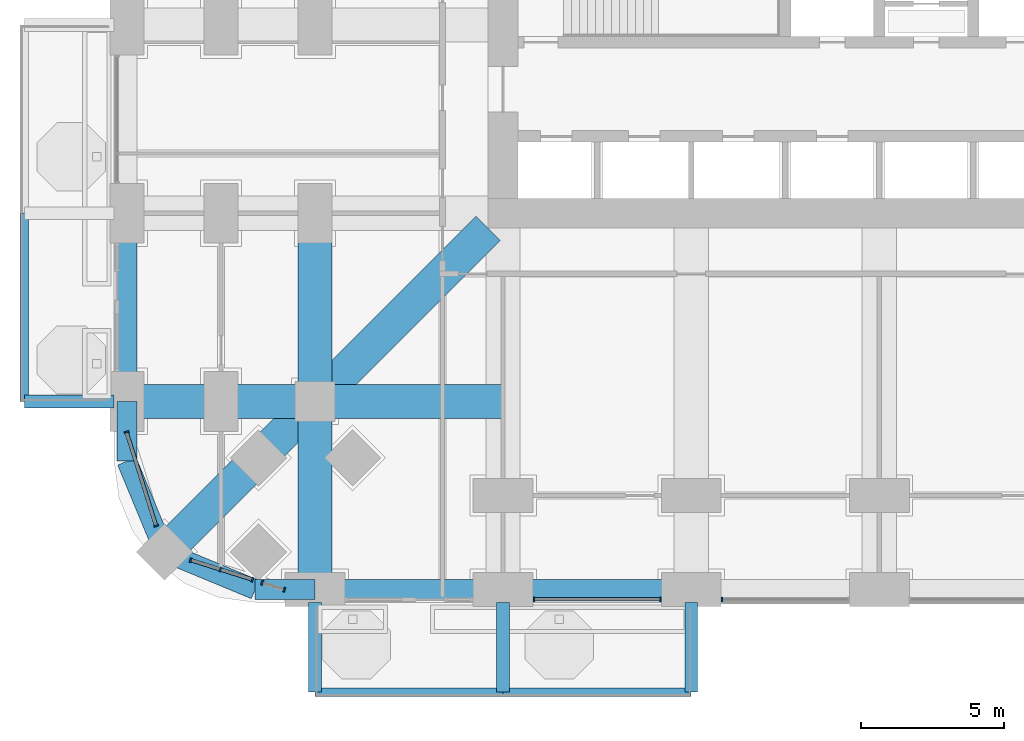
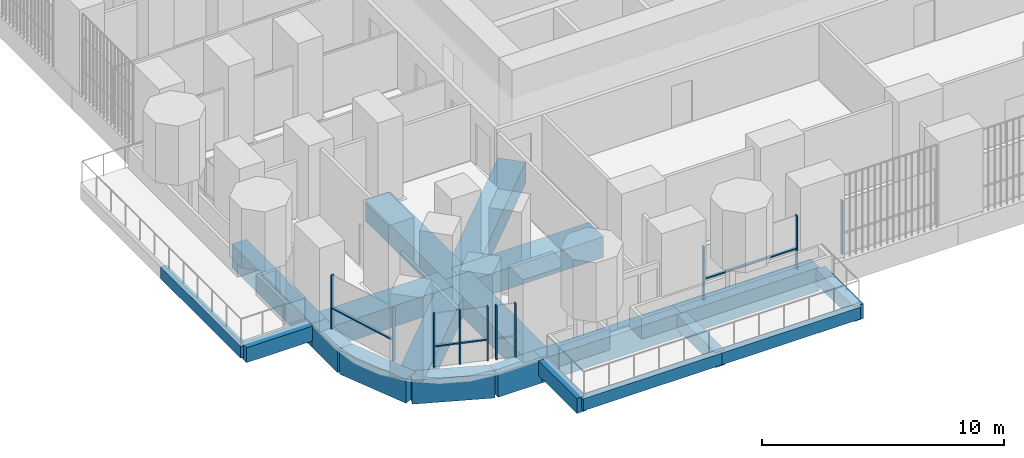
# One storey, part 2 of 27: 20 beams, 14 members, 5 elements without a shape of their own.
"""IFC4 building model written with IfcOpenShell, lengths in metres."""

import ifcopenshell
import ifcopenshell.guid

model = None  # the IFC model being written
_history = None  # IfcOwnerHistory: only IFC2X3 demands one
_inside = {}  # id of a spatial element -> (the spatial element, [elements in it])
_under = {}  # id of a project, library or spatial element -> (it, [spatial elements below it])
_declared = {}  # id of a project -> (the project, [libraries it declares])
_typed = {}  # id of a type object -> (the type object, [elements of that type])
_made_of = {}  # id of a material, layer set ... -> (it, [elements and type objects made of it])


def new_model(schema):
    """Start an empty IFC model of exactly this schema.

    Asked for "IFC4X3", IfcOpenShell would pick the latest addendum, in which some entities
    have other attributes; the version numbers below select the first issue.
    IFC2X3 requires an IfcOwnerHistory on every rooted entity: one is made here for all.
    """
    global model, _history
    if schema == "IFC4X3":
        model = ifcopenshell.file(schema_version=(4, 3, 0, 0))
    else:
        model = ifcopenshell.file(schema=schema)
    _inside.clear()
    _under.clear()
    _declared.clear()
    _typed.clear()
    _made_of.clear()
    _history = None
    if model.schema == "IFC2X3":
        org = make("IfcOrganization", Name="unknown")
        user = make(
            "IfcPersonAndOrganization",
            ThePerson=make("IfcPerson", FamilyName="unknown"),
            TheOrganization=org,
        )
        app = make(
            "IfcApplication",
            ApplicationDeveloper=org,
            Version="unknown",
            ApplicationFullName="unknown",
            ApplicationIdentifier="unknown",
        )
        _history = make(
            "IfcOwnerHistory",
            OwningUser=user,
            OwningApplication=app,
            ChangeAction="ADDED",
            CreationDate=0,
        )
    return model


def make(cls, **values):
    """One entity of the class cls with the attributes given. An attribute that is None is left unset."""
    return model.create_entity(
        cls, **{name: value for name, value in values.items() if value is not None}
    )


def rooted(cls, **values):
    """An entity with a GlobalId (a new one), such as an element, a storey or a relation."""
    return make(cls, GlobalId=ifcopenshell.guid.new(), OwnerHistory=_history, **values)


def si_unit(unit_type, name, prefix=None):
    """IfcSIUnit, for example si_unit("LENGTHUNIT", "METRE", prefix="MILLI")."""
    return make("IfcSIUnit", UnitType=unit_type, Prefix=prefix, Name=name)


def assignment(units):
    """IfcUnitAssignment: the units of a project."""
    return None if units is None else make("IfcUnitAssignment", Units=units)


def point(xyz):
    """IfcCartesianPoint."""
    return None if xyz is None else make("IfcCartesianPoint", Coordinates=xyz)


def direction(xyz):
    """IfcDirection."""
    return None if xyz is None else make("IfcDirection", DirectionRatios=xyz)


def frame(location, z_axis=None, x_axis=None):
    """IfcAxis2Placement3D, a coordinate frame: its origin and axes. An axis left out is left unset."""
    return make(
        "IfcAxis2Placement3D",
        Location=point(location),
        Axis=direction(z_axis),
        RefDirection=direction(x_axis),
    )


def frame_2d(location, x_axis=None):
    """IfcAxis2Placement2D, a coordinate frame in the plane: its origin and x axis."""
    return make(
        "IfcAxis2Placement2D", Location=point(location), RefDirection=direction(x_axis)
    )


def origin():
    """The frame at (0, 0, 0) with its axes left unset."""
    return frame((0.0, 0.0, 0.0))


def origin_2d():
    """The frame at (0, 0) in the plane with its x axis left unset."""
    return frame_2d((0.0, 0.0))


def place(relative_to, where):
    """IfcLocalPlacement: puts the frame where relative to a parent placement (None: the world)."""
    return make(
        "IfcLocalPlacement", PlacementRelTo=relative_to, RelativePlacement=where
    )


def context(
    kind, dimensions, precision=None, world=None, true_north=None, identifier=None
):
    """IfcGeometricRepresentationContext, for example the 3D "Model" context."""
    return make(
        "IfcGeometricRepresentationContext",
        ContextIdentifier=identifier,
        ContextType=kind,
        CoordinateSpaceDimension=dimensions,
        Precision=precision,
        WorldCoordinateSystem=world,
        TrueNorth=true_north,
    )


def subcontext(parent, identifier, kind, view, scale=None):
    """IfcGeometricRepresentationSubContext, for example "Body" below "Model"."""
    return make(
        "IfcGeometricRepresentationSubContext",
        ContextIdentifier=identifier,
        ContextType=kind,
        ParentContext=parent,
        TargetScale=scale,
        TargetView=view,
    )


def project(units=None, contexts=None):
    """IfcProject with its units and contexts."""
    return rooted(
        "IfcProject",
        Name="project",
        RepresentationContexts=contexts,
        UnitsInContext=assignment(units),
    )


def spatial(cls, under=None, at=None, **own):
    """A site, building, storey or space (cls), placed at a placement, below another one or the project."""
    s = rooted(cls, ObjectPlacement=at, **own)
    if under is not None:
        _under.setdefault(under.id(), (under, []))[1].append(s)
    return s


def profile(cls, at=None, kind="AREA", **sizes):
    """A parametric profile (cls). Its sizes go by their IFC names, for example OverallWidth=200.0."""
    return make(cls, ProfileType=kind, Position=at, **sizes)


def rectangle(**sizes):
    """IfcRectangleProfileDef."""
    return profile("IfcRectangleProfileDef", **sizes)


def extrude(swept, where, along, depth):
    """IfcExtrudedAreaSolid: the profile swept, set in the frame where, extruded along a direction by depth."""
    return make(
        "IfcExtrudedAreaSolid",
        SweptArea=swept,
        Position=where,
        ExtrudedDirection=direction(along),
        Depth=depth,
    )


def shape(context_of_items, identifier, shape_type, items):
    """IfcShapeRepresentation: the items that make up one representation, for example the "Body"."""
    return make(
        "IfcShapeRepresentation",
        ContextOfItems=context_of_items,
        RepresentationIdentifier=identifier,
        RepresentationType=shape_type,
        Items=items,
    )


def material(Name=None, Category=None):
    """IfcMaterial."""
    return make("IfcMaterial", Name=Name, Category=Category)


def material_profile(
    of_material, cross_section, Name=None, Category=None, Priority=None
):
    """IfcMaterialProfile: a cross section and its material."""
    return make(
        "IfcMaterialProfile",
        Name=Name,
        Material=of_material,
        Profile=cross_section,
        Priority=Priority,
        Category=Category,
    )


def profile_set(profiles, Name=None, composite=None):
    """IfcMaterialProfileSet."""
    return make(
        "IfcMaterialProfileSet",
        Name=Name,
        MaterialProfiles=profiles,
        CompositeProfile=composite,
    )


def made_of(thing, what):
    """Note that an element or type object is made of a material, layer set ...; save() writes the relation."""
    if what is not None:
        _made_of.setdefault(what.id(), (what, []))[1].append(thing)
    return thing


def type_object(cls, material=None, **own):
    """A type object (cls), such as IfcWallType, which elements share."""
    return made_of(rooted(cls, **own), material)


def element(
    cls,
    number,
    at=None,
    inside=None,
    cuts=None,
    type_object=None,
    material=None,
    context=None,
    identifier="Body",
    shape_type=None,
    held_by="IfcProductDefinitionShape",
    body=None,
    shapes=None,
    **own,
):
    """One element of the class cls, such as IfcWall. Its Tag is "e" and its number.

    at: its placement. inside: the storey or other place that contains it. cuts: it is an
    opening in that element (IfcRelVoidsElement). A single representation is given by context,
    identifier, shape_type and body (its items); several are given by shapes. held_by: the class
    of the entity that holds the representations. save() writes the other relations.
    """
    e = rooted(cls, Tag="e%d" % number, ObjectPlacement=at, **own)
    if body is not None:
        shapes = [shape(context, identifier, shape_type, body)]
    if shapes is not None:
        e.Representation = make(held_by, Representations=shapes)
    if inside is not None:
        _inside.setdefault(inside.id(), (inside, []))[1].append(e)
    if cuts is not None:
        rooted(
            "IfcRelVoidsElement", RelatingBuildingElement=cuts, RelatedOpeningElement=e
        )
    if type_object is not None:
        _typed.setdefault(type_object.id(), (type_object, []))[1].append(e)
    return made_of(e, material)


def aggregate(whole, parts):
    """IfcRelAggregates: a whole, such as a stair, and the parts it consists of."""
    return rooted("IfcRelAggregates", RelatingObject=whole, RelatedObjects=parts)


def save(model, path):
    """Write the relations noted so far, then the file.

    IfcRelAggregates (storeys below a building ...), IfcRelContainedInSpatialStructure (elements
    in a storey), IfcRelDefinesByType, IfcRelAssociatesMaterial and IfcRelDeclares: one each for
    every whole, place, type object, material and project.
    """
    for whole, parts in _under.values():
        aggregate(whole, parts)
    for where, things in _inside.values():
        rooted(
            "IfcRelContainedInSpatialStructure",
            RelatedElements=things,
            RelatingStructure=where,
        )
    for kind, things in _typed.values():
        rooted("IfcRelDefinesByType", RelatedObjects=things, RelatingType=kind)
    for what, things in _made_of.values():
        rooted("IfcRelAssociatesMaterial", RelatedObjects=things, RelatingMaterial=what)
    for by, libraries in _declared.values():
        rooted("IfcRelDeclares", RelatingContext=by, RelatedDefinitions=libraries)
    model.write(path)


model = new_model("IFC4")

# Units and contexts
model_context = context("Model", 3, precision=1e-05, world=origin(), true_north=direction((0.0, 1.0)))
body_context = subcontext(model_context, "Body", "Model", "MODEL_VIEW")
ifc_project = project(units=[si_unit("LENGTHUNIT", "METRE"), si_unit("AREAUNIT", "SQUARE_METRE"), si_unit("VOLUMEUNIT", "CUBIC_METRE"), si_unit("PLANEANGLEUNIT", "RADIAN"), si_unit("MASSUNIT", "GRAM", prefix="KILO")], contexts=[model_context])

# Site, building, storey
site_placement = place(None, origin())
site = spatial("IfcSite", under=ifc_project, at=site_placement, CompositionType="ELEMENT")
building_placement = place(site_placement, origin())
building = spatial("IfcBuilding", under=site, at=building_placement, Name="Cobogo Forest Laboratory Tower", CompositionType="ELEMENT")
storey_placement = place(building_placement, frame((0.0, 0.0, 29.699951171875)))
storey = spatial("IfcBuildingStorey", under=building, at=storey_placement, Name="L06", CompositionType="ELEMENT", Elevation=29.699951171875)

# Beams
ifc_material_1 = material(Name="Concrete HA-40 (C40/50)", Category="concrete")
ifc_material_profile_1 = material_profile(ifc_material_1, rectangle(XDim=0.449951171875, YDim=0.75, at=origin_2d()), Name="RC 450x750")
ifc_profile_set_1 = profile_set([ifc_material_profile_1], Name="Concrete HA-40 (C40/50)")
beam_type_1 = type_object("IfcBeamType", Name="Balcony cantilever beam 450x750", PredefinedType="BEAM", material=ifc_profile_set_1)
for number, where, z_axis, x_axis, name in (
    (1, (6.60009765625, -0.449951171875, -0.625), (0.0, -1.0, 0.0), (1.0, 0.0, 0.0), "CB1 BAL-S1-C1 L06"),
    (2, (13.199951171875, -0.449951171875, -0.625), (0.0, -1.0, 0.0), (1.0, 0.0, 0.0), "CB1 BAL-S1-C2 L06"),
    (3, (19.800048828125, -0.449951171875, -0.625), (0.0, -1.0, 0.0), (1.0, 0.0, 0.0), "CB1 BAL-S1-C3 L06"),
    (4, (-0.449951171875, 6.60009765625, -0.625), (-1.0, 0.0, 0.0), (0.0, -1.0, 0.0), "CB1 BAL-W1-C1 L06"),
):
    element("IfcBeam", number, at=place(storey_placement, frame(where, z_axis=z_axis, x_axis=x_axis)), inside=storey, type_object=beam_type_1, Name=name, PredefinedType="BEAM", context=body_context, shape_type="SweptSolid", body=[
        extrude(rectangle(XDim=0.449951171875, YDim=0.75, at=origin_2d()), origin(), (0.0, 0.0, 1.0), 3.150146484375),
    ])
ifc_material_profile_2 = material_profile(ifc_material_1, rectangle(XDim=0.300048828125, YDim=0.60009765625, at=origin_2d()), Name="RC 300x600")
ifc_profile_set_2 = profile_set([ifc_material_profile_2], Name="Concrete HA-40 (C40/50)")
beam_type_2 = type_object("IfcBeamType", Name="Balcony edge beam 300x600", PredefinedType="BEAM", material=ifc_profile_set_2)
beam_1_placement = place(storey_placement, frame((6.60009765625, -3.60009765625, -0.550048828125), z_axis=(1.0, 0.0, 0.0), x_axis=(0.0, 1.0, 0.0)))
element("IfcBeam", 5, at=beam_1_placement, inside=storey, type_object=beam_type_2, Name="BB1 BAL-S1-T1 L06", PredefinedType="BEAM", context=body_context, shape_type="SweptSolid", body=[
    extrude(rectangle(XDim=0.300048828125, YDim=0.60009765625, at=origin_2d()), origin(), (0.0, 0.0, 1.0), 6.599853515625),
])
beam_2_placement = place(storey_placement, frame((13.199951171875, -3.60009765625, -0.550048828125), z_axis=(1.0, 0.0, 0.0), x_axis=(0.0, 1.0, 0.0)))
element("IfcBeam", 6, at=beam_2_placement, inside=storey, type_object=beam_type_2, Name="BB1 BAL-S1-T2 L06", PredefinedType="BEAM", context=body_context, shape_type="SweptSolid", body=[
    extrude(rectangle(XDim=0.300048828125, YDim=0.60009765625, at=origin_2d()), origin(), (0.0, 0.0, 1.0), 6.60009765625),
])
beam_3_placement = place(storey_placement, frame((-3.60009765625, 6.60009765625, -0.550048828125), z_axis=(0.0, 1.0, 0.0), x_axis=(-1.0, 0.0, 0.0)))
element("IfcBeam", 7, at=beam_3_placement, inside=storey, type_object=beam_type_2, Name="BB1 BAL-W1-T1 L06", PredefinedType="BEAM", context=body_context, shape_type="SweptSolid", body=[
    extrude(rectangle(XDim=0.300048828125, YDim=0.60009765625, at=origin_2d()), origin(), (0.0, 0.0, 1.0), 6.599853515625),
])
ifc_material_profile_3 = material_profile(ifc_material_1, rectangle(XDim=1.199951171875, YDim=1.050048828125, at=origin_2d()), Name="RC 1200x1050")
ifc_profile_set_3 = profile_set([ifc_material_profile_3], Name="Concrete HA-40 (C40/50)")
beam_type_3 = type_object("IfcBeamType", Name="Laboratory floor wide beam 1200x1050", PredefinedType="BEAM", material=ifc_profile_set_3)
beam_4_placement = place(storey_placement, frame((6.60009765625, 0.0, -0.824951171875), z_axis=(0.0, 1.0, 0.0), x_axis=(-1.0, 0.0, 0.0)))
element("IfcBeam", 8, at=beam_4_placement, inside=storey, type_object=beam_type_3, Name="RB1 G-SW-XF L06", PredefinedType="BEAM", context=body_context, shape_type="SweptSolid", body=[
    extrude(rectangle(XDim=1.199951171875, YDim=1.050048828125, at=origin_2d()), origin(), (0.0, 0.0, 1.0), 6.60009765625),
])
beam_5_placement = place(storey_placement, frame((6.60009765625, 6.60009765625, -0.824951171875), z_axis=(0.0, 1.0, 0.0), x_axis=(-1.0, 0.0, 0.0)))
element("IfcBeam", 9, at=beam_5_placement, inside=storey, type_object=beam_type_3, Name="RB1 G-SW-XC L06", PredefinedType="BEAM", context=body_context, shape_type="SweptSolid", body=[
    extrude(rectangle(XDim=1.199951171875, YDim=1.050048828125, at=origin_2d()), origin(), (0.0, 0.0, 1.0), 6.599853515625),
])
beam_6_placement = place(storey_placement, frame((0.0, 6.60009765625, -0.824951171875), z_axis=(1.0, 0.0, 0.0), x_axis=(0.0, 1.0, 0.0)))
element("IfcBeam", 10, at=beam_6_placement, inside=storey, type_object=beam_type_3, Name="RB1 G-SW-YF L06", PredefinedType="BEAM", context=body_context, shape_type="SweptSolid", body=[
    extrude(rectangle(XDim=1.199951171875, YDim=1.050048828125, at=origin_2d()), origin(), (0.0, 0.0, 1.0), 6.60009765625),
])
beam_7_placement = place(storey_placement, frame((6.60009765625, 6.60009765625, -0.824951171875), z_axis=(1.0, 0.0, 0.0), x_axis=(0.0, 1.0, 0.0)))
element("IfcBeam", 11, at=beam_7_placement, inside=storey, type_object=beam_type_3, Name="RB1 G-SW-YC L06", PredefinedType="BEAM", context=body_context, shape_type="SweptSolid", body=[
    extrude(rectangle(XDim=1.199951171875, YDim=1.050048828125, at=origin_2d()), origin(), (0.0, 0.0, 1.0), 6.599853515625),
])
beam_8_placement = place(storey_placement, frame((1.318115234375, 1.318115234375, -0.824951171875), z_axis=(0.707106781187, 0.707106781187, 0.0), x_axis=(-0.707106781187, 0.707106781187, 0.0)))
element("IfcBeam", 12, at=beam_8_placement, inside=storey, type_object=beam_type_3, Name="RB1 G-SW-D1 L06", PredefinedType="BEAM", context=body_context, shape_type="SweptSolid", body=[
    extrude(rectangle(XDim=1.199951171875, YDim=1.050048828125, at=origin_2d()), origin(), (0.0, 0.0, 1.0), 7.469970703125),
])
beam_9_placement = place(storey_placement, frame((6.60009765625, 6.60009765625, -0.824951171875), z_axis=(0.707106781187, 0.707106781187, 0.0), x_axis=(-0.707106781187, 0.707106781187, 0.0)))
element("IfcBeam", 13, at=beam_9_placement, inside=storey, type_object=beam_type_3, Name="RB1 G-SW-D2 L06", PredefinedType="BEAM", context=body_context, shape_type="SweptSolid", body=[
    extrude(rectangle(XDim=1.199951171875, YDim=1.050048828125, at=origin_2d()), origin(), (0.0, 0.0, 1.0), 8.59130859375),
])

# Curtain wall, members
ifc_material_2 = material(Name="Aluminium curtain wall", Category="aluminium")
curtain_wall_type = type_object("IfcCurtainWallType", Name="CW-1 unitised curtain wall, clear glazing, laboratory floors zones A and B", PredefinedType="USERDEFINED", material=ifc_material_2)
curtain_wall_1_placement = place(storey_placement, origin())
curtain_wall_1 = element("IfcCurtainWall", 14, at=curtain_wall_1_placement, inside=storey, type_object=curtain_wall_type, Name="Curtain wall 02 L06", ObjectType="UNITISED CURTAIN WALL", PredefinedType="USERDEFINED")
ifc_material_3 = material(Name="Aluminium mullion", Category="aluminium")
ifc_material_profile_4 = material_profile(ifc_material_3, rectangle(XDim=0.06005859375, YDim=0.159912109375, at=origin_2d()), Name="AL 60x160")
ifc_profile_set_4 = profile_set([ifc_material_profile_4], Name="Aluminium mullion")
member_type_1 = type_object("IfcMemberType", Name="MU-1 aluminium mullion 60x160", PredefinedType="MULLION", material=ifc_profile_set_4)
member_1_placement = place(storey_placement, frame((14.280029296875, -0.35009765625, 0.0), z_axis=(0.0, 0.0, 1.0), x_axis=(1.0, 0.0, 0.0)))
member_1 = element("IfcMember", 15, at=member_1_placement, type_object=member_type_1, Name="CW-1 mullion 1", PredefinedType="MULLION", context=body_context, shape_type="SweptSolid", body=[
    extrude(rectangle(XDim=0.06005859375, YDim=0.159912109375, at=origin_2d()), origin(), (0.0, 0.0, 1.0), 2.699951171875),
])
member_2_placement = place(storey_placement, frame((18.719970703125, -0.35009765625, 0.0), z_axis=(0.0, 0.0, 1.0), x_axis=(1.0, 0.0, 0.0)))
member_2 = element("IfcMember", 16, at=member_2_placement, type_object=member_type_1, Name="CW-1 mullion 2", PredefinedType="MULLION", context=body_context, shape_type="SweptSolid", body=[
    extrude(rectangle(XDim=0.06005859375, YDim=0.159912109375, at=origin_2d()), origin(), (0.0, 0.0, 1.0), 2.699951171875),
])

# Curtain wall, member
curtain_wall_2_placement = place(storey_placement, origin())
curtain_wall_2 = element("IfcCurtainWall", 17, at=curtain_wall_2_placement, inside=storey, type_object=curtain_wall_type, Name="Curtain wall 03 L06", ObjectType="UNITISED CURTAIN WALL", PredefinedType="USERDEFINED")
member_3_placement = place(storey_placement, frame((20.8798828125, -0.35009765625, 0.0), z_axis=(0.0, 0.0, 1.0), x_axis=(1.0, 0.0, 0.0)))
member_3 = element("IfcMember", 18, at=member_3_placement, type_object=member_type_1, Name="CW-1 mullion 1", PredefinedType="MULLION", context=body_context, shape_type="SweptSolid", body=[
    extrude(rectangle(XDim=0.06005859375, YDim=0.159912109375, at=origin_2d()), origin(), (0.0, 0.0, 1.0), 2.699951171875),
])
aggregate(curtain_wall_2, [member_3])

# Curtain wall, members
curtain_wall_3_placement = place(storey_placement, origin())
curtain_wall_3 = element("IfcCurtainWall", 19, at=curtain_wall_3_placement, inside=storey, type_object=curtain_wall_type, Name="Curtain wall 32 L06", ObjectType="UNITISED CURTAIN WALL", PredefinedType="USERDEFINED")
member_4_placement = place(storey_placement, frame((-0.00927734375, 5.521484375, 0.0), z_axis=(0.0, 0.0, 1.0), x_axis=(0.30113535792, -0.95358140513, 0.0)))
member_4 = element("IfcMember", 20, at=member_4_placement, type_object=member_type_1, Name="CW-1 mullion 1", PredefinedType="MULLION", context=body_context, shape_type="SweptSolid", body=[
    extrude(rectangle(XDim=0.06005859375, YDim=0.159912109375, at=origin_2d()), origin(), (0.0, 0.0, 1.0), 2.699951171875),
])
member_5_placement = place(storey_placement, frame((1.02734375, 2.23876953125, 0.0), z_axis=(0.0, 0.0, 1.0), x_axis=(0.30113535792, -0.95358140513, 0.0)))
member_5 = element("IfcMember", 21, at=member_5_placement, type_object=member_type_1, Name="CW-1 mullion 2", PredefinedType="MULLION", context=body_context, shape_type="SweptSolid", body=[
    extrude(rectangle(XDim=0.06005859375, YDim=0.159912109375, at=origin_2d()), origin(), (0.0, 0.0, 1.0), 2.699951171875),
])

curtain_wall_4_placement = place(storey_placement, origin())
curtain_wall_4 = element("IfcCurtainWall", 22, at=curtain_wall_4_placement, inside=storey, type_object=curtain_wall_type, Name="Curtain wall 33 L06", ObjectType="UNITISED CURTAIN WALL", PredefinedType="USERDEFINED")
member_6_placement = place(storey_placement, frame((2.23876953125, 1.02734375, 0.0), z_axis=(0.0, 0.0, 1.0), x_axis=(0.953581409645, -0.301135343623, 0.0)))
member_6 = element("IfcMember", 23, at=member_6_placement, type_object=member_type_1, Name="CW-1 mullion 1", PredefinedType="MULLION", context=body_context, shape_type="SweptSolid", body=[
    extrude(rectangle(XDim=0.06005859375, YDim=0.159912109375, at=origin_2d()), origin(), (0.0, 0.0, 1.0), 2.699951171875),
])
member_7_placement = place(storey_placement, frame((3.27587890625, 0.69970703125, 0.0), z_axis=(0.0, 0.0, 1.0), x_axis=(0.953581409645, -0.301135343623, 0.0)))
member_7 = element("IfcMember", 24, at=member_7_placement, type_object=member_type_1, Name="CW-1 mullion 2", PredefinedType="MULLION", context=body_context, shape_type="SweptSolid", body=[
    extrude(rectangle(XDim=0.06005859375, YDim=0.159912109375, at=origin_2d()), origin(), (0.0, 0.0, 1.0), 2.699951171875),
])
member_8_placement = place(storey_placement, frame((4.39697265625, 0.345703125, 0.0), z_axis=(0.0, 0.0, 1.0), x_axis=(0.953581409645, -0.301135343623, 0.0)))
member_8 = element("IfcMember", 25, at=member_8_placement, type_object=member_type_1, Name="CW-1 mullion 3", PredefinedType="MULLION", context=body_context, shape_type="SweptSolid", body=[
    extrude(rectangle(XDim=0.06005859375, YDim=0.159912109375, at=origin_2d()), origin(), (0.0, 0.0, 1.0), 2.699951171875),
])

curtain_wall_5_placement = place(storey_placement, origin())
curtain_wall_5 = element("IfcCurtainWall", 26, at=curtain_wall_5_placement, inside=storey, type_object=curtain_wall_type, Name="Curtain wall 34 L06", ObjectType="UNITISED CURTAIN WALL", PredefinedType="USERDEFINED")
member_9_placement = place(storey_placement, frame((4.74658203125, 0.2353515625, 0.0), z_axis=(0.0, 0.0, 1.0), x_axis=(0.953581504428, -0.301135043481, 0.0)))
member_9 = element("IfcMember", 27, at=member_9_placement, type_object=member_type_1, Name="CW-1 mullion 1", PredefinedType="MULLION", context=body_context, shape_type="SweptSolid", body=[
    extrude(rectangle(XDim=0.06005859375, YDim=0.159912109375, at=origin_2d()), origin(), (0.0, 0.0, 1.0), 2.699951171875),
])
member_10_placement = place(storey_placement, frame((5.521484375, -0.00927734375, 0.0), z_axis=(0.0, 0.0, 1.0), x_axis=(0.953581504428, -0.301135043481, 0.0)))
member_10 = element("IfcMember", 28, at=member_10_placement, type_object=member_type_1, Name="CW-1 mullion 2", PredefinedType="MULLION", context=body_context, shape_type="SweptSolid", body=[
    extrude(rectangle(XDim=0.06005859375, YDim=0.159912109375, at=origin_2d()), origin(), (0.0, 0.0, 1.0), 2.699951171875),
])
aggregate(curtain_wall_5, [member_9, member_10])

# Beams
ifc_material_profile_5 = material_profile(ifc_material_1, rectangle(XDim=0.699951171875, YDim=1.199951171875, at=origin_2d()), Name="RC 700x1200")
ifc_profile_set_5 = profile_set([ifc_material_profile_5], Name="Concrete HA-40 (C40/50)")
beam_type_4 = type_object("IfcBeamType", Name="Perimeter edge beam 700x1200", PredefinedType="BEAM", material=ifc_profile_set_5)
beam_10_placement = place(storey_placement, frame((6.60009765625, 0.0, -0.89990234375), z_axis=(1.0, 0.0, 0.0), x_axis=(0.0, 1.0, 0.0)))
element("IfcBeam", 29, at=beam_10_placement, inside=storey, type_object=beam_type_4, Name="EB1 E-S1 L06", PredefinedType="BEAM", context=body_context, shape_type="SweptSolid", body=[
    extrude(rectangle(XDim=0.699951171875, YDim=1.199951171875, at=origin_2d()), origin(), (0.0, 0.0, 1.0), 6.599853515625),
])
beam_11_placement = place(storey_placement, frame((13.199951171875, 0.0, -0.89990234375), z_axis=(1.0, 0.0, 0.0), x_axis=(0.0, 1.0, 0.0)))
element("IfcBeam", 30, at=beam_11_placement, inside=storey, type_object=beam_type_4, Name="EB1 E-S2 L06", PredefinedType="BEAM", context=body_context, shape_type="SweptSolid", body=[
    extrude(rectangle(XDim=0.699951171875, YDim=1.199951171875, at=origin_2d()), origin(), (0.0, 0.0, 1.0), 6.60009765625),
])
beam_12_placement = place(storey_placement, frame((0.0, 6.60009765625, -0.89990234375), z_axis=(0.0, 1.0, 0.0), x_axis=(-1.0, 0.0, 0.0)))
element("IfcBeam", 31, at=beam_12_placement, inside=storey, type_object=beam_type_4, Name="EB1 E-W1 L06", PredefinedType="BEAM", context=body_context, shape_type="SweptSolid", body=[
    extrude(rectangle(XDim=0.699951171875, YDim=1.199951171875, at=origin_2d()), origin(), (0.0, 0.0, 1.0), 6.599853515625),
])
beam_13_placement = place(storey_placement, frame((6.60009765625, 0.0, -0.89990234375), z_axis=(-1.0, 0.0, 0.0), x_axis=(0.0, -1.0, 0.0)))
element("IfcBeam", 32, at=beam_13_placement, inside=storey, type_object=beam_type_4, Name="EB1 E-SWS1 L06", PredefinedType="BEAM", context=body_context, shape_type="SweptSolid", body=[
    extrude(rectangle(XDim=0.699951171875, YDim=1.199951171875, at=origin_2d()), origin(), (0.0, 0.0, 1.0), 2.10009765625),
])
beam_14_placement = place(storey_placement, frame((4.5, 0.0, -0.89990234375), z_axis=(-0.923865631356, 0.382716990999, 0.0), x_axis=(-0.382716990999, -0.923865631356, 0.0)))
element("IfcBeam", 33, at=beam_14_placement, inside=storey, type_object=beam_type_4, Name="EB1 E-SWS2 L06", PredefinedType="BEAM", context=body_context, shape_type="SweptSolid", body=[
    extrude(rectangle(XDim=0.699951171875, YDim=1.199951171875, at=origin_2d()), origin(), (0.0, 0.0, 1.0), 3.444091796875),
])
beam_15_placement = place(storey_placement, frame((0.0, 6.60009765625, -0.89990234375), z_axis=(0.0, -1.0, 0.0), x_axis=(1.0, 0.0, 0.0)))
element("IfcBeam", 34, at=beam_15_placement, inside=storey, type_object=beam_type_4, Name="EB1 E-SWW1 L06", PredefinedType="BEAM", context=body_context, shape_type="SweptSolid", body=[
    extrude(rectangle(XDim=0.699951171875, YDim=1.199951171875, at=origin_2d()), origin(), (0.0, 0.0, 1.0), 2.10009765625),
])
beam_16_placement = place(storey_placement, frame((0.0, 4.5, -0.89990234375), z_axis=(0.382716990999, -0.923865631356, 0.0), x_axis=(0.923865631356, 0.382716990999, 0.0)))
element("IfcBeam", 35, at=beam_16_placement, inside=storey, type_object=beam_type_4, Name="EB1 E-SWW2 L06", PredefinedType="BEAM", context=body_context, shape_type="SweptSolid", body=[
    extrude(rectangle(XDim=0.699951171875, YDim=1.199951171875, at=origin_2d()), origin(), (0.0, 0.0, 1.0), 3.444091796875),
])

# Member
ifc_material_4 = material(Name="Aluminium transom", Category="aluminium")
ifc_material_profile_6 = material_profile(ifc_material_4, rectangle(XDim=0.1201171875, YDim=0.06005859375, at=origin_2d()), Name="AL 60x120")
ifc_profile_set_6 = profile_set([ifc_material_profile_6], Name="Aluminium transom")
member_type_2 = type_object("IfcMemberType", Name="TR-1 aluminium transom 60x120", PredefinedType="USERDEFINED", material=ifc_profile_set_6)
member_11_placement = place(storey_placement, frame((14.31005859375, -0.35009765625, 1.050048828125), z_axis=(1.0, 0.0, 0.0), x_axis=(0.0, 1.0, 0.0)))
member_11 = element("IfcMember", 36, at=member_11_placement, type_object=member_type_2, Name="CW-1 transom 1.1", ObjectType="TRANSOM", PredefinedType="USERDEFINED", context=body_context, shape_type="SweptSolid", body=[
    extrude(rectangle(XDim=0.1201171875, YDim=0.06005859375, at=origin_2d()), origin(), (0.0, 0.0, 1.0), 4.3798828125),
])

aggregate(curtain_wall_1, [member_1, member_2, member_11])

member_12_placement = place(storey_placement, frame((-0.000244140625, 5.49267578125, 1.050048828125), z_axis=(0.301138276922, -0.953580483322, 0.0), x_axis=(0.953580483322, 0.301138276922, 0.0)))
member_12 = element("IfcMember", 37, at=member_12_placement, type_object=member_type_2, Name="CW-1 transom 1.1", ObjectType="TRANSOM", PredefinedType="USERDEFINED", context=body_context, shape_type="SweptSolid", body=[
    extrude(rectangle(XDim=0.1201171875, YDim=0.06005859375, at=origin_2d()), origin(), (0.0, 0.0, 1.0), 3.38232421875),
])

aggregate(curtain_wall_3, [member_4, member_5, member_12])

member_13_placement = place(storey_placement, frame((2.267333984375, 1.018310546875, 1.050048828125), z_axis=(0.953553938535, -0.301222320394, 0.0), x_axis=(0.301222320394, 0.953553938535, 0.0)))
member_13 = element("IfcMember", 38, at=member_13_placement, type_object=member_type_2, Name="CW-1 transom 1.1", ObjectType="TRANSOM", PredefinedType="USERDEFINED", context=body_context, shape_type="SweptSolid", body=[
    extrude(rectangle(XDim=0.1201171875, YDim=0.06005859375, at=origin_2d()), origin(), (0.0, 0.0, 1.0), 1.02783203125),
])

member_14_placement = place(storey_placement, frame((3.304443359375, 0.690673828125, 1.050048828125), z_axis=(0.953595892327, -0.301089478624, 0.0), x_axis=(0.301089478624, 0.953595892327, 0.0)))
member_14 = element("IfcMember", 39, at=member_14_placement, type_object=member_type_2, Name="CW-1 transom 2.1", ObjectType="TRANSOM", PredefinedType="USERDEFINED", context=body_context, shape_type="SweptSolid", body=[
    extrude(rectangle(XDim=0.1201171875, YDim=0.06005859375, at=origin_2d()), origin(), (0.0, 0.0, 1.0), 1.11572265625),
])

aggregate(curtain_wall_4, [member_6, member_7, member_8, member_13, member_14])

save(model, "model.ifc")
